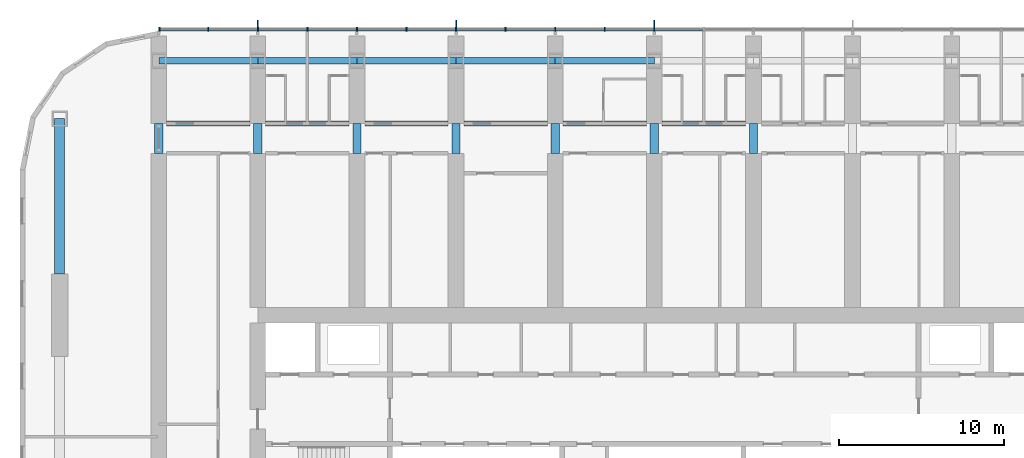
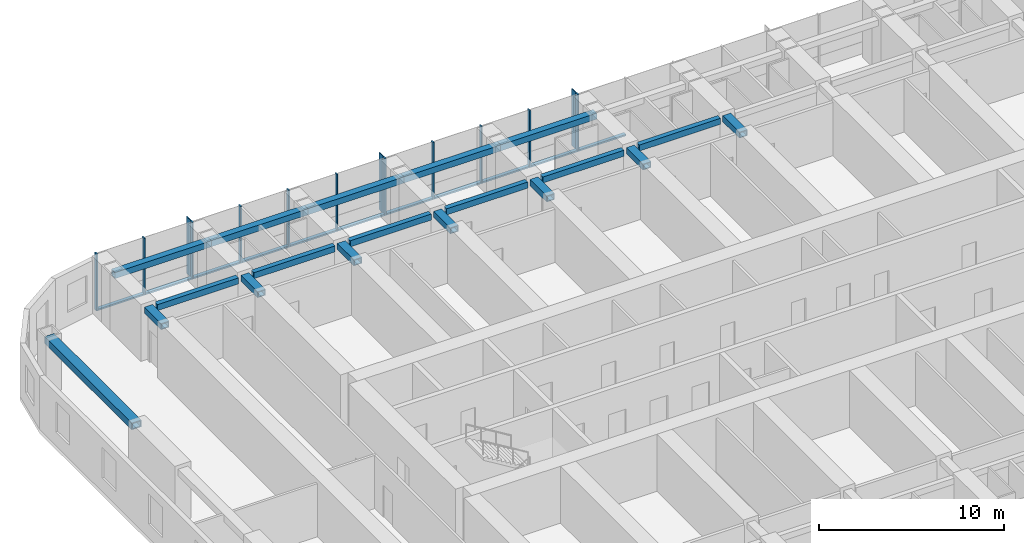
# One storey, part 4 of 21: 25 members, 19 beams, 1 element without a shape of its own.
"""IFC4 building model written with IfcOpenShell, lengths in metres."""

from ifc_helpers import new_model, si_unit, direction, frame, origin, origin_2d, place, context, subcontext, project, spatial, rectangle, hollow_rectangle, extrude, material, material_profile, profile_set, type_object, element, aggregate, save


model = new_model("IFC4")

# Units and contexts
model_context = context("Model", 3, precision=1e-05, world=origin(), true_north=direction((0.0, 1.0)))
body_context = subcontext(model_context, "Body", "Model", "MODEL_VIEW")
ifc_project = project(units=[si_unit("LENGTHUNIT", "METRE"), si_unit("AREAUNIT", "SQUARE_METRE"), si_unit("VOLUMEUNIT", "CUBIC_METRE"), si_unit("PLANEANGLEUNIT", "RADIAN"), si_unit("MASSUNIT", "GRAM", prefix="KILO")], contexts=[model_context])

# Site, building, storey
site_placement = place(None, origin())
site = spatial("IfcSite", under=ifc_project, at=site_placement, CompositionType="ELEMENT")
building_placement = place(site_placement, origin())
building = spatial("IfcBuilding", under=site, at=building_placement, Name="Orbita Commons", CompositionType="ELEMENT")
storey_placement = place(building_placement, frame((0.0, 0.0, 106.89990234375)))
storey = spatial("IfcBuildingStorey", under=building, at=storey_placement, Name="L26", CompositionType="ELEMENT", Elevation=106.89990234375)

# Curtain wall, members
ifc_material_1 = material(Name="Anodised aluminium frame, pale silver", Category="aluminium")
curtain_wall_type = type_object("IfcCurtainWallType", Name="Unitised curtain wall CW-T, vision and spandrel", PredefinedType="NOTDEFINED", material=ifc_material_1)
curtain_wall_placement = place(storey_placement, origin())
curtain_wall = element("IfcCurtainWall", 1, at=curtain_wall_placement, inside=storey, type_object=curtain_wall_type, Name="Curtain wall north L26", PredefinedType="NOTDEFINED")
ifc_material_2 = material(Name="Anodised aluminium, pale silver", Category="aluminium")
ifc_material_profile_1 = material_profile(ifc_material_2, rectangle(XDim=0.080078125, YDim=0.219970703125, at=origin_2d()), Name="AL 80x220")
ifc_profile_set_1 = profile_set([ifc_material_profile_1], Name="Anodised aluminium, pale silver")
member_type_1 = type_object("IfcMemberType", Name="Curtain wall mullion 80x220", PredefinedType="MULLION", material=ifc_profile_set_1)
member_1_placement = place(storey_placement, frame((42.0, 55.510009765625, -0.25), z_axis=(0.0, 0.0, 1.0), x_axis=(-1.0, 0.0, 0.0)))
member_1 = element("IfcMember", 2, at=member_1_placement, type_object=member_type_1, Name="Mullion 9 CW-L26-N", PredefinedType="MULLION", context=body_context, shape_type="SweptSolid", body=[
    extrude(rectangle(XDim=0.080078125, YDim=0.219970703125, at=origin_2d()), origin(), (0.0, 0.0, 1.0), 3.75),
])
member_2_placement = place(storey_placement, frame((39.0, 55.510009765625, -0.25), z_axis=(0.0, 0.0, 1.0), x_axis=(-1.0, 0.0, 0.0)))
member_2 = element("IfcMember", 3, at=member_2_placement, type_object=member_type_1, Name="Mullion 10 CW-L26-N", PredefinedType="MULLION", context=body_context, shape_type="SweptSolid", body=[
    extrude(rectangle(XDim=0.080078125, YDim=0.219970703125, at=origin_2d()), origin(), (0.0, 0.0, 1.0), 3.75),
])
member_3_placement = place(storey_placement, frame((36.0, 55.510009765625, -0.25), z_axis=(0.0, 0.0, 1.0), x_axis=(-1.0, 0.0, 0.0)))
member_3 = element("IfcMember", 4, at=member_3_placement, type_object=member_type_1, Name="Mullion 11 CW-L26-N", PredefinedType="MULLION", context=body_context, shape_type="SweptSolid", body=[
    extrude(rectangle(XDim=0.080078125, YDim=0.219970703125, at=origin_2d()), origin(), (0.0, 0.0, 1.0), 3.75),
])
member_4_placement = place(storey_placement, frame((33.0, 55.510009765625, -0.25), z_axis=(0.0, 0.0, 1.0), x_axis=(-1.0, 0.0, 0.0)))
member_4 = element("IfcMember", 5, at=member_4_placement, type_object=member_type_1, Name="Mullion 12 CW-L26-N", PredefinedType="MULLION", context=body_context, shape_type="SweptSolid", body=[
    extrude(rectangle(XDim=0.080078125, YDim=0.219970703125, at=origin_2d()), origin(), (0.0, 0.0, 1.0), 3.75),
])
member_5_placement = place(storey_placement, frame((30.0, 55.510009765625, -0.25), z_axis=(0.0, 0.0, 1.0), x_axis=(-1.0, 0.0, 0.0)))
member_5 = element("IfcMember", 6, at=member_5_placement, type_object=member_type_1, Name="Mullion 13 CW-L26-N", PredefinedType="MULLION", context=body_context, shape_type="SweptSolid", body=[
    extrude(rectangle(XDim=0.080078125, YDim=0.219970703125, at=origin_2d()), origin(), (0.0, 0.0, 1.0), 3.75),
])
member_6_placement = place(storey_placement, frame((27.0, 55.510009765625, -0.25), z_axis=(0.0, 0.0, 1.0), x_axis=(-1.0, 0.0, 0.0)))
member_6 = element("IfcMember", 7, at=member_6_placement, type_object=member_type_1, Name="Mullion 14 CW-L26-N", PredefinedType="MULLION", context=body_context, shape_type="SweptSolid", body=[
    extrude(rectangle(XDim=0.080078125, YDim=0.219970703125, at=origin_2d()), origin(), (0.0, 0.0, 1.0), 3.75),
])
member_7_placement = place(storey_placement, frame((24.0, 55.510009765625, -0.25), z_axis=(0.0, 0.0, 1.0), x_axis=(-1.0, 0.0, 0.0)))
member_7 = element("IfcMember", 8, at=member_7_placement, type_object=member_type_1, Name="Mullion 15 CW-L26-N", PredefinedType="MULLION", context=body_context, shape_type="SweptSolid", body=[
    extrude(rectangle(XDim=0.080078125, YDim=0.219970703125, at=origin_2d()), origin(), (0.0, 0.0, 1.0), 3.75),
])
member_8_placement = place(storey_placement, frame((21.0, 55.510009765625, -0.25), z_axis=(0.0, 0.0, 1.0), x_axis=(-1.0, 0.0, 0.0)))
member_8 = element("IfcMember", 9, at=member_8_placement, type_object=member_type_1, Name="Mullion 16 CW-L26-N", PredefinedType="MULLION", context=body_context, shape_type="SweptSolid", body=[
    extrude(rectangle(XDim=0.080078125, YDim=0.219970703125, at=origin_2d()), origin(), (0.0, 0.0, 1.0), 3.75),
])
member_9_placement = place(storey_placement, frame((18.0, 55.510009765625, -0.25), z_axis=(0.0, 0.0, 1.0), x_axis=(-1.0, 0.0, 0.0)))
member_9 = element("IfcMember", 10, at=member_9_placement, type_object=member_type_1, Name="Mullion 17 CW-L26-N", PredefinedType="MULLION", context=body_context, shape_type="SweptSolid", body=[
    extrude(rectangle(XDim=0.080078125, YDim=0.219970703125, at=origin_2d()), origin(), (0.0, 0.0, 1.0), 3.75),
])
member_10_placement = place(storey_placement, frame((15.0, 55.510009765625, -0.25), z_axis=(0.0, 0.0, 1.0), x_axis=(-1.0, 0.0, 0.0)))
member_10 = element("IfcMember", 11, at=member_10_placement, type_object=member_type_1, Name="Mullion 18 CW-L26-N", PredefinedType="MULLION", context=body_context, shape_type="SweptSolid", body=[
    extrude(rectangle(XDim=0.080078125, YDim=0.219970703125, at=origin_2d()), origin(), (0.0, 0.0, 1.0), 3.75),
])
member_11_placement = place(storey_placement, frame((12.0400390625, 55.510009765625, -0.25), z_axis=(0.0, 0.0, 1.0), x_axis=(-1.0, 0.0, 0.0)))
member_11 = element("IfcMember", 12, at=member_11_placement, type_object=member_type_1, Name="Mullion 19 CW-L26-N", PredefinedType="MULLION", context=body_context, shape_type="SweptSolid", body=[
    extrude(rectangle(XDim=0.080078125, YDim=0.219970703125, at=origin_2d()), origin(), (0.0, 0.0, 1.0), 3.75),
])
ifc_material_3 = material(Name="Anodised aluminium, pale silver", Category="aluminium")
ifc_material_profile_2 = material_profile(ifc_material_3, rectangle(XDim=0.219970703125, YDim=0.10009765625, at=origin_2d()), Name="AL 220x100")
ifc_profile_set_2 = profile_set([ifc_material_profile_2], Name="Anodised aluminium, pale silver")
member_type_2 = type_object("IfcMemberType", Name="Curtain wall stack transom 220x100", PredefinedType="USERDEFINED", material=ifc_profile_set_2)
member_12_placement = place(storey_placement, frame((44.9599609375, 55.510009765625, -0.199951171875), z_axis=(-1.0, 0.0, 0.0), x_axis=(0.0, -1.0, 0.0)))
member_12 = element("IfcMember", 13, at=member_12_placement, type_object=member_type_2, Name="Transom 8.1 CW-L26-N", ObjectType="TRANSOM", PredefinedType="USERDEFINED", context=body_context, shape_type="SweptSolid", body=[
    extrude(rectangle(XDim=0.219970703125, YDim=0.10009765625, at=origin_2d()), origin(), (0.0, 0.0, 1.0), 2.919921875),
])
member_13_placement = place(storey_placement, frame((41.9599609375, 55.510009765625, -0.199951171875), z_axis=(-1.0, 0.0, 0.0), x_axis=(0.0, -1.0, 0.0)))
member_13 = element("IfcMember", 14, at=member_13_placement, type_object=member_type_2, Name="Transom 9.1 CW-L26-N", ObjectType="TRANSOM", PredefinedType="USERDEFINED", context=body_context, shape_type="SweptSolid", body=[
    extrude(rectangle(XDim=0.219970703125, YDim=0.10009765625, at=origin_2d()), origin(), (0.0, 0.0, 1.0), 2.919921875),
])
member_14_placement = place(storey_placement, frame((38.9599609375, 55.510009765625, -0.199951171875), z_axis=(-1.0, 0.0, 0.0), x_axis=(0.0, -1.0, 0.0)))
member_14 = element("IfcMember", 15, at=member_14_placement, type_object=member_type_2, Name="Transom 10.1 CW-L26-N", ObjectType="TRANSOM", PredefinedType="USERDEFINED", context=body_context, shape_type="SweptSolid", body=[
    extrude(rectangle(XDim=0.219970703125, YDim=0.10009765625, at=origin_2d()), origin(), (0.0, 0.0, 1.0), 2.919921875),
])
member_15_placement = place(storey_placement, frame((35.9599609375, 55.510009765625, -0.199951171875), z_axis=(-1.0, 0.0, 0.0), x_axis=(0.0, -1.0, 0.0)))
member_15 = element("IfcMember", 16, at=member_15_placement, type_object=member_type_2, Name="Transom 11.1 CW-L26-N", ObjectType="TRANSOM", PredefinedType="USERDEFINED", context=body_context, shape_type="SweptSolid", body=[
    extrude(rectangle(XDim=0.219970703125, YDim=0.10009765625, at=origin_2d()), origin(), (0.0, 0.0, 1.0), 2.919921875),
])
member_16_placement = place(storey_placement, frame((32.9599609375, 55.510009765625, -0.199951171875), z_axis=(-1.0, 0.0, 0.0), x_axis=(0.0, -1.0, 0.0)))
member_16 = element("IfcMember", 17, at=member_16_placement, type_object=member_type_2, Name="Transom 12.1 CW-L26-N", ObjectType="TRANSOM", PredefinedType="USERDEFINED", context=body_context, shape_type="SweptSolid", body=[
    extrude(rectangle(XDim=0.219970703125, YDim=0.10009765625, at=origin_2d()), origin(), (0.0, 0.0, 1.0), 2.919921875),
])
member_17_placement = place(storey_placement, frame((29.9599609375, 55.510009765625, -0.199951171875), z_axis=(-1.0, 0.0, 0.0), x_axis=(0.0, -1.0, 0.0)))
member_17 = element("IfcMember", 18, at=member_17_placement, type_object=member_type_2, Name="Transom 13.1 CW-L26-N", ObjectType="TRANSOM", PredefinedType="USERDEFINED", context=body_context, shape_type="SweptSolid", body=[
    extrude(rectangle(XDim=0.219970703125, YDim=0.10009765625, at=origin_2d()), origin(), (0.0, 0.0, 1.0), 2.919921875),
])
member_18_placement = place(storey_placement, frame((26.9599609375, 55.510009765625, -0.199951171875), z_axis=(-1.0, 0.0, 0.0), x_axis=(0.0, -1.0, 0.0)))
member_18 = element("IfcMember", 19, at=member_18_placement, type_object=member_type_2, Name="Transom 14.1 CW-L26-N", ObjectType="TRANSOM", PredefinedType="USERDEFINED", context=body_context, shape_type="SweptSolid", body=[
    extrude(rectangle(XDim=0.219970703125, YDim=0.10009765625, at=origin_2d()), origin(), (0.0, 0.0, 1.0), 2.919921875),
])
member_19_placement = place(storey_placement, frame((23.9599609375, 55.510009765625, -0.199951171875), z_axis=(-1.0, 0.0, 0.0), x_axis=(0.0, -1.0, 0.0)))
member_19 = element("IfcMember", 20, at=member_19_placement, type_object=member_type_2, Name="Transom 15.1 CW-L26-N", ObjectType="TRANSOM", PredefinedType="USERDEFINED", context=body_context, shape_type="SweptSolid", body=[
    extrude(rectangle(XDim=0.219970703125, YDim=0.10009765625, at=origin_2d()), origin(), (0.0, 0.0, 1.0), 2.919921875),
])
member_20_placement = place(storey_placement, frame((20.9599609375, 55.510009765625, -0.199951171875), z_axis=(-1.0, 0.0, 0.0), x_axis=(0.0, -1.0, 0.0)))
member_20 = element("IfcMember", 21, at=member_20_placement, type_object=member_type_2, Name="Transom 16.1 CW-L26-N", ObjectType="TRANSOM", PredefinedType="USERDEFINED", context=body_context, shape_type="SweptSolid", body=[
    extrude(rectangle(XDim=0.219970703125, YDim=0.10009765625, at=origin_2d()), origin(), (0.0, 0.0, 1.0), 2.919921875),
])
member_21_placement = place(storey_placement, frame((17.9599609375, 55.510009765625, -0.199951171875), z_axis=(-1.0, 0.0, 0.0), x_axis=(0.0, -1.0, 0.0)))
member_21 = element("IfcMember", 22, at=member_21_placement, type_object=member_type_2, Name="Transom 17.1 CW-L26-N", ObjectType="TRANSOM", PredefinedType="USERDEFINED", context=body_context, shape_type="SweptSolid", body=[
    extrude(rectangle(XDim=0.219970703125, YDim=0.10009765625, at=origin_2d()), origin(), (0.0, 0.0, 1.0), 2.919921875),
])
member_22_placement = place(storey_placement, frame((14.9599609375, 55.510009765625, -0.199951171875), z_axis=(-1.0, 0.0, 0.0), x_axis=(0.0, -1.0, 0.0)))
member_22 = element("IfcMember", 23, at=member_22_placement, type_object=member_type_2, Name="Transom 18.1 CW-L26-N", ObjectType="TRANSOM", PredefinedType="USERDEFINED", context=body_context, shape_type="SweptSolid", body=[
    extrude(rectangle(XDim=0.219970703125, YDim=0.10009765625, at=origin_2d()), origin(), (0.0, 0.0, 1.0), 2.8798828125),
])

# Beams
ifc_material_4 = material(Name="Steel ASTM A572 Gr 50 welded plate", Category="steel")
ifc_material_profile_3 = material_profile(ifc_material_4, hollow_rectangle(XDim=0.300048828125, YDim=0.39990234375, WallThickness=0.0400390625, at=origin_2d()), Name="BOX 400x300x40")
ifc_profile_set_3 = profile_set([ifc_material_profile_3], Name="Steel ASTM A572 Gr 50 welded plate")
beam_type_1 = type_object("IfcBeamType", Name="Steel corridor link BOX 400x300x40", PredefinedType="BEAM", material=ifc_profile_set_3)
for number, where, z_axis, x_axis, name in (
    (24, (12.47509765625, 49.800048828125, 3.300048828125), (1.0, 0.0, 0.0), (0.0, 1.0, 0.0), "Corridor beam NB 3-4 L26"),
    (25, (18.47509765625, 49.800048828125, 3.300048828125), (1.0, 0.0, 0.0), (0.0, 1.0, 0.0), "Corridor beam NB 4-5 L26"),
    (26, (24.47509765625, 49.800048828125, 3.300048828125), (1.0, 0.0, 0.0), (0.0, 1.0, 0.0), "Corridor beam NB 5-6 L26"),
    (27, (30.47509765625, 49.800048828125, 3.300048828125), (1.0, 0.0, 0.0), (0.0, 1.0, 0.0), "Corridor beam NB 6-7 L26"),
    (28, (36.47509765625, 49.800048828125, 3.300048828125), (1.0, 0.0, 0.0), (0.0, 1.0, 0.0), "Corridor beam NB 7-8 L26"),
    (29, (42.47509765625, 49.800048828125, 3.300048828125), (1.0, 0.0, 0.0), (0.0, 1.0, 0.0), "Corridor beam NB 8-9 L26"),
):
    element("IfcBeam", number, at=place(storey_placement, frame(where, z_axis=z_axis, x_axis=x_axis)), inside=storey, type_object=beam_type_1, Name=name, PredefinedType="BEAM", context=body_context, shape_type="SweptSolid", body=[
        extrude(hollow_rectangle(XDim=0.300048828125, YDim=0.39990234375, WallThickness=0.0400390625, at=origin_2d()), origin(), (0.0, 0.0, 1.0), 5.0498046875),
    ])
ifc_material_5 = material(Name="Steel ASTM A572 Gr 50 welded plate", Category="steel")
ifc_material_profile_4 = material_profile(ifc_material_5, hollow_rectangle(XDim=0.5, YDim=0.39990234375, WallThickness=0.050048828125, at=origin_2d()), Name="BOX 400x500x50")
ifc_profile_set_4 = profile_set([ifc_material_profile_4], Name="Steel ASTM A572 Gr 50 welded plate")
beam_type_2 = type_object("IfcBeamType", Name="Steel coupling link BOX 400x500x50", PredefinedType="LINTEL", material=ifc_profile_set_4)
for number, where, z_axis, x_axis, name in (
    (30, (12.0, 48.0, 3.300048828125), (0.0, 1.0, 0.0), (-1.0, 0.0, 0.0), "Coupling beam 3 north L26"),
    (31, (18.0, 48.0, 3.300048828125), (0.0, 1.0, 0.0), (-1.0, 0.0, 0.0), "Coupling beam 4 north L26"),
    (32, (24.0, 48.0, 3.300048828125), (0.0, 1.0, 0.0), (-1.0, 0.0, 0.0), "Coupling beam 5 north L26"),
    (33, (30.0, 48.0, 3.300048828125), (0.0, 1.0, 0.0), (-1.0, 0.0, 0.0), "Coupling beam 6 north L26"),
    (34, (36.0, 48.0, 3.300048828125), (0.0, 1.0, 0.0), (-1.0, 0.0, 0.0), "Coupling beam 7 north L26"),
    (35, (42.0, 48.0, 3.300048828125), (0.0, 1.0, 0.0), (-1.0, 0.0, 0.0), "Coupling beam 8 north L26"),
    (36, (48.0, 48.0, 3.300048828125), (0.0, 1.0, 0.0), (-1.0, 0.0, 0.0), "Coupling beam 9 north L26"),
):
    element("IfcBeam", number, at=place(storey_placement, frame(where, z_axis=z_axis, x_axis=x_axis)), inside=storey, type_object=beam_type_2, Name=name, PredefinedType="LINTEL", context=body_context, shape_type="SweptSolid", body=[
        extrude(hollow_rectangle(XDim=0.5, YDim=0.39990234375, WallThickness=0.050048828125, at=origin_2d()), origin(), (0.0, 0.0, 1.0), 1.800048828125),
    ])
ifc_material_6 = material(Name="Steel ASTM A572 Gr 50 welded plate", Category="steel")
ifc_material_profile_5 = material_profile(ifc_material_6, hollow_rectangle(XDim=0.60009765625, YDim=0.449951171875, WallThickness=0.06005859375, at=origin_2d()), Name="BOX 450x600x60")
ifc_profile_set_5 = profile_set([ifc_material_profile_5], Name="Steel ASTM A572 Gr 50 welded plate")
beam_type_3 = type_object("IfcBeamType", Name="Steel end frame link BOX 450x600x60", PredefinedType="BEAM", material=ifc_profile_set_5)
beam_placement = place(storey_placement, frame((6.0, 40.699951171875, 3.275146484375), z_axis=(0.0, 1.0, 0.0), x_axis=(-1.0, 0.0, 0.0)))
element("IfcBeam", 37, at=beam_placement, inside=storey, type_object=beam_type_3, Name="End frame beam 2 D-E L26", PredefinedType="BEAM", context=body_context, shape_type="SweptSolid", body=[
    extrude(hollow_rectangle(XDim=0.60009765625, YDim=0.449951171875, WallThickness=0.06005859375, at=origin_2d()), origin(), (0.0, 0.0, 1.0), 9.400146484375),
])
ifc_material_7 = material(Name="Steel ASTM A572 Gr 50 welded plate", Category="steel")
ifc_material_profile_6 = material_profile(ifc_material_7, hollow_rectangle(XDim=0.39990234375, YDim=0.39990234375, WallThickness=0.0400390625, at=origin_2d()), Name="BOX 400x400x40")
ifc_profile_set_6 = profile_set([ifc_material_profile_6], Name="Steel ASTM A572 Gr 50 welded plate")
beam_type_4 = type_object("IfcBeamType", Name="Steel spandrel BOX 400x400x40", PredefinedType="SPANDREL", material=ifc_profile_set_6)
for number, where, z_axis, x_axis, name in (
    (38, (12.0, 53.60009765625, 3.300048828125), (1.0, 0.0, 0.0), (0.0, 1.0, 0.0), "Spandrel beam E 3-4 L26"),
    (39, (18.0, 53.60009765625, 3.300048828125), (1.0, 0.0, 0.0), (0.0, 1.0, 0.0), "Spandrel beam E 4-5 L26"),
    (40, (24.0, 53.60009765625, 3.300048828125), (1.0, 0.0, 0.0), (0.0, 1.0, 0.0), "Spandrel beam E 5-6 L26"),
    (41, (30.0, 53.60009765625, 3.300048828125), (1.0, 0.0, 0.0), (0.0, 1.0, 0.0), "Spandrel beam E 6-7 L26"),
    (42, (36.0, 53.60009765625, 3.300048828125), (1.0, 0.0, 0.0), (0.0, 1.0, 0.0), "Spandrel beam E 7-8 L26"),
):
    element("IfcBeam", number, at=place(storey_placement, frame(where, z_axis=z_axis, x_axis=x_axis)), inside=storey, type_object=beam_type_4, Name=name, PredefinedType="SPANDREL", context=body_context, shape_type="SweptSolid", body=[
        extrude(hollow_rectangle(XDim=0.39990234375, YDim=0.39990234375, WallThickness=0.0400390625, at=origin_2d()), origin(), (0.0, 0.0, 1.0), 6.0),
    ])

# Member
ifc_material_8 = material(Name="Anodised aluminium, pale silver", Category="aluminium")
ifc_material_profile_7 = material_profile(ifc_material_8, rectangle(XDim=0.06005859375, YDim=0.449951171875, at=origin_2d()), Name="FIN 60x450")
ifc_profile_set_7 = profile_set([ifc_material_profile_7], Name="Anodised aluminium, pale silver")
member_type_3 = type_object("IfcMemberType", Name="Vertical fin 60x450 pale aluminium", PredefinedType="USERDEFINED", material=ifc_profile_set_7)
member_23_placement = place(storey_placement, frame((42.0, 55.844970703125, -0.25), z_axis=(0.0, 0.0, 1.0), x_axis=(-1.0, 0.0, 0.0)))
member_23 = element("IfcMember", 43, at=member_23_placement, type_object=member_type_3, Name="Fin 9 CW-L26-N", ObjectType="FIN", PredefinedType="USERDEFINED", context=body_context, shape_type="SweptSolid", body=[
    extrude(rectangle(XDim=0.06005859375, YDim=0.449951171875, at=origin_2d()), origin(), (0.0, 0.0, 1.0), 3.75),
])

member_24_placement = place(storey_placement, frame((30.0, 55.844970703125, -0.25), z_axis=(0.0, 0.0, 1.0), x_axis=(-1.0, 0.0, 0.0)))
member_24 = element("IfcMember", 44, at=member_24_placement, type_object=member_type_3, Name="Fin 13 CW-L26-N", ObjectType="FIN", PredefinedType="USERDEFINED", context=body_context, shape_type="SweptSolid", body=[
    extrude(rectangle(XDim=0.06005859375, YDim=0.449951171875, at=origin_2d()), origin(), (0.0, 0.0, 1.0), 3.75),
])

member_25_placement = place(storey_placement, frame((18.0, 55.844970703125, -0.25), z_axis=(0.0, 0.0, 1.0), x_axis=(-1.0, 0.0, 0.0)))
member_25 = element("IfcMember", 45, at=member_25_placement, type_object=member_type_3, Name="Fin 17 CW-L26-N", ObjectType="FIN", PredefinedType="USERDEFINED", context=body_context, shape_type="SweptSolid", body=[
    extrude(rectangle(XDim=0.06005859375, YDim=0.449951171875, at=origin_2d()), origin(), (0.0, 0.0, 1.0), 3.75),
])

aggregate(curtain_wall, [member_1, member_23, member_2, member_3, member_4, member_5, member_24, member_6, member_7, member_8, member_9, member_25, member_10, member_11, member_12, member_13, member_14, member_15, member_16, member_17, member_18, member_19, member_20, member_21, member_22])

save(model, "model.ifc")
